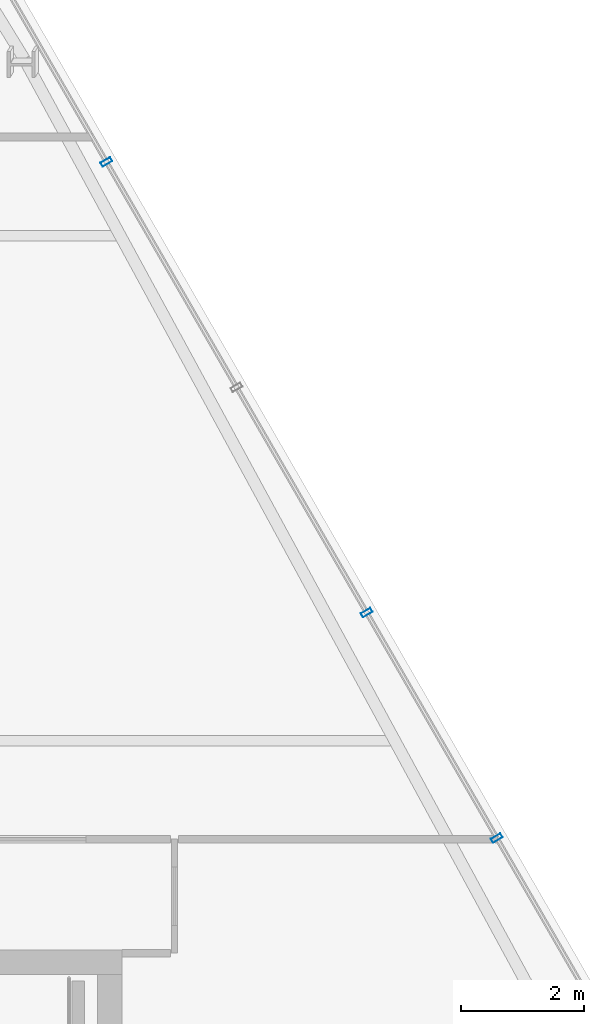
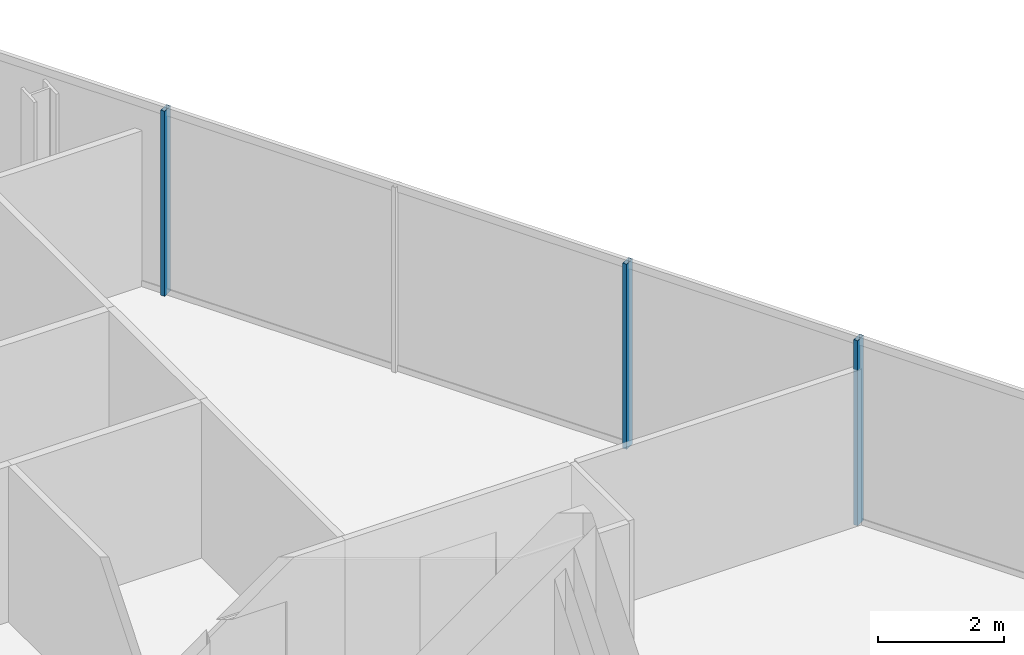
# One storey, part 15 of 33: 3 members, 1 element without a shape of its own.
"""IFC4 building model written with IfcOpenShell, lengths in metres."""

import ifcopenshell
import ifcopenshell.guid

model = None  # the IFC model being written
_history = None  # IfcOwnerHistory: only IFC2X3 demands one
_inside = {}  # id of a spatial element -> (the spatial element, [elements in it])
_under = {}  # id of a project, library or spatial element -> (it, [spatial elements below it])
_declared = {}  # id of a project -> (the project, [libraries it declares])
_typed = {}  # id of a type object -> (the type object, [elements of that type])
_made_of = {}  # id of a material, layer set ... -> (it, [elements and type objects made of it])


def new_model(schema):
    """Start an empty IFC model of exactly this schema.

    Asked for "IFC4X3", IfcOpenShell would pick the latest addendum, in which some entities
    have other attributes; the version numbers below select the first issue.
    IFC2X3 requires an IfcOwnerHistory on every rooted entity: one is made here for all.
    """
    global model, _history
    if schema == "IFC4X3":
        model = ifcopenshell.file(schema_version=(4, 3, 0, 0))
    else:
        model = ifcopenshell.file(schema=schema)
    _inside.clear()
    _under.clear()
    _declared.clear()
    _typed.clear()
    _made_of.clear()
    _history = None
    if model.schema == "IFC2X3":
        org = make("IfcOrganization", Name="unknown")
        user = make(
            "IfcPersonAndOrganization",
            ThePerson=make("IfcPerson", FamilyName="unknown"),
            TheOrganization=org,
        )
        app = make(
            "IfcApplication",
            ApplicationDeveloper=org,
            Version="unknown",
            ApplicationFullName="unknown",
            ApplicationIdentifier="unknown",
        )
        _history = make(
            "IfcOwnerHistory",
            OwningUser=user,
            OwningApplication=app,
            ChangeAction="ADDED",
            CreationDate=0,
        )
    return model


def make(cls, **values):
    """One entity of the class cls with the attributes given. An attribute that is None is left unset."""
    return model.create_entity(
        cls, **{name: value for name, value in values.items() if value is not None}
    )


def rooted(cls, **values):
    """An entity with a GlobalId (a new one), such as an element, a storey or a relation."""
    return make(cls, GlobalId=ifcopenshell.guid.new(), OwnerHistory=_history, **values)


def si_unit(unit_type, name, prefix=None):
    """IfcSIUnit, for example si_unit("LENGTHUNIT", "METRE", prefix="MILLI")."""
    return make("IfcSIUnit", UnitType=unit_type, Prefix=prefix, Name=name)


def assignment(units):
    """IfcUnitAssignment: the units of a project."""
    return None if units is None else make("IfcUnitAssignment", Units=units)


def point(xyz):
    """IfcCartesianPoint."""
    return None if xyz is None else make("IfcCartesianPoint", Coordinates=xyz)


def direction(xyz):
    """IfcDirection."""
    return None if xyz is None else make("IfcDirection", DirectionRatios=xyz)


def frame(location, z_axis=None, x_axis=None):
    """IfcAxis2Placement3D, a coordinate frame: its origin and axes. An axis left out is left unset."""
    return make(
        "IfcAxis2Placement3D",
        Location=point(location),
        Axis=direction(z_axis),
        RefDirection=direction(x_axis),
    )


def frame_2d(location, x_axis=None):
    """IfcAxis2Placement2D, a coordinate frame in the plane: its origin and x axis."""
    return make(
        "IfcAxis2Placement2D", Location=point(location), RefDirection=direction(x_axis)
    )


def origin():
    """The frame at (0, 0, 0) with its axes left unset."""
    return frame((0.0, 0.0, 0.0))


def origin_2d():
    """The frame at (0, 0) in the plane with its x axis left unset."""
    return frame_2d((0.0, 0.0))


def place(relative_to, where):
    """IfcLocalPlacement: puts the frame where relative to a parent placement (None: the world)."""
    return make(
        "IfcLocalPlacement", PlacementRelTo=relative_to, RelativePlacement=where
    )


def context(
    kind, dimensions, precision=None, world=None, true_north=None, identifier=None
):
    """IfcGeometricRepresentationContext, for example the 3D "Model" context."""
    return make(
        "IfcGeometricRepresentationContext",
        ContextIdentifier=identifier,
        ContextType=kind,
        CoordinateSpaceDimension=dimensions,
        Precision=precision,
        WorldCoordinateSystem=world,
        TrueNorth=true_north,
    )


def subcontext(parent, identifier, kind, view, scale=None):
    """IfcGeometricRepresentationSubContext, for example "Body" below "Model"."""
    return make(
        "IfcGeometricRepresentationSubContext",
        ContextIdentifier=identifier,
        ContextType=kind,
        ParentContext=parent,
        TargetScale=scale,
        TargetView=view,
    )


def project(units=None, contexts=None):
    """IfcProject with its units and contexts."""
    return rooted(
        "IfcProject",
        Name="project",
        RepresentationContexts=contexts,
        UnitsInContext=assignment(units),
    )


def spatial(cls, under=None, at=None, **own):
    """A site, building, storey or space (cls), placed at a placement, below another one or the project."""
    s = rooted(cls, ObjectPlacement=at, **own)
    if under is not None:
        _under.setdefault(under.id(), (under, []))[1].append(s)
    return s


def profile(cls, at=None, kind="AREA", **sizes):
    """A parametric profile (cls). Its sizes go by their IFC names, for example OverallWidth=200.0."""
    return make(cls, ProfileType=kind, Position=at, **sizes)


def hollow_rectangle(**sizes):
    """IfcRectangleHollowProfileDef."""
    return profile("IfcRectangleHollowProfileDef", **sizes)


def extrude(swept, where, along, depth):
    """IfcExtrudedAreaSolid: the profile swept, set in the frame where, extruded along a direction by depth."""
    return make(
        "IfcExtrudedAreaSolid",
        SweptArea=swept,
        Position=where,
        ExtrudedDirection=direction(along),
        Depth=depth,
    )


def shape(context_of_items, identifier, shape_type, items):
    """IfcShapeRepresentation: the items that make up one representation, for example the "Body"."""
    return make(
        "IfcShapeRepresentation",
        ContextOfItems=context_of_items,
        RepresentationIdentifier=identifier,
        RepresentationType=shape_type,
        Items=items,
    )


def material(Name=None, Category=None):
    """IfcMaterial."""
    return make("IfcMaterial", Name=Name, Category=Category)


def layer(
    of_material, thickness, ventilated=None, Name=None, Category=None, Priority=None
):
    """IfcMaterialLayer: one layer of a wall or slab, of a material (None: an air gap)."""
    return make(
        "IfcMaterialLayer",
        Material=of_material,
        LayerThickness=thickness,
        IsVentilated=ventilated,
        Name=Name,
        Category=Category,
        Priority=Priority,
    )


def layer_set(layers, Name=None):
    """IfcMaterialLayerSet."""
    return make("IfcMaterialLayerSet", MaterialLayers=layers, LayerSetName=Name)


def material_profile(
    of_material, cross_section, Name=None, Category=None, Priority=None
):
    """IfcMaterialProfile: a cross section and its material."""
    return make(
        "IfcMaterialProfile",
        Name=Name,
        Material=of_material,
        Profile=cross_section,
        Priority=Priority,
        Category=Category,
    )


def profile_set(profiles, Name=None, composite=None):
    """IfcMaterialProfileSet."""
    return make(
        "IfcMaterialProfileSet",
        Name=Name,
        MaterialProfiles=profiles,
        CompositeProfile=composite,
    )


def made_of(thing, what):
    """Note that an element or type object is made of a material, layer set ...; save() writes the relation."""
    if what is not None:
        _made_of.setdefault(what.id(), (what, []))[1].append(thing)
    return thing


def type_object(cls, material=None, **own):
    """A type object (cls), such as IfcWallType, which elements share."""
    return made_of(rooted(cls, **own), material)


def element(
    cls,
    number,
    at=None,
    inside=None,
    cuts=None,
    type_object=None,
    material=None,
    context=None,
    identifier="Body",
    shape_type=None,
    held_by="IfcProductDefinitionShape",
    body=None,
    shapes=None,
    **own,
):
    """One element of the class cls, such as IfcWall. Its Tag is "e" and its number.

    at: its placement. inside: the storey or other place that contains it. cuts: it is an
    opening in that element (IfcRelVoidsElement). A single representation is given by context,
    identifier, shape_type and body (its items); several are given by shapes. held_by: the class
    of the entity that holds the representations. save() writes the other relations.
    """
    e = rooted(cls, Tag="e%d" % number, ObjectPlacement=at, **own)
    if body is not None:
        shapes = [shape(context, identifier, shape_type, body)]
    if shapes is not None:
        e.Representation = make(held_by, Representations=shapes)
    if inside is not None:
        _inside.setdefault(inside.id(), (inside, []))[1].append(e)
    if cuts is not None:
        rooted(
            "IfcRelVoidsElement", RelatingBuildingElement=cuts, RelatedOpeningElement=e
        )
    if type_object is not None:
        _typed.setdefault(type_object.id(), (type_object, []))[1].append(e)
    return made_of(e, material)


def aggregate(whole, parts):
    """IfcRelAggregates: a whole, such as a stair, and the parts it consists of."""
    return rooted("IfcRelAggregates", RelatingObject=whole, RelatedObjects=parts)


def save(model, path):
    """Write the relations noted so far, then the file.

    IfcRelAggregates (storeys below a building ...), IfcRelContainedInSpatialStructure (elements
    in a storey), IfcRelDefinesByType, IfcRelAssociatesMaterial and IfcRelDeclares: one each for
    every whole, place, type object, material and project.
    """
    for whole, parts in _under.values():
        aggregate(whole, parts)
    for where, things in _inside.values():
        rooted(
            "IfcRelContainedInSpatialStructure",
            RelatedElements=things,
            RelatingStructure=where,
        )
    for kind, things in _typed.values():
        rooted("IfcRelDefinesByType", RelatedObjects=things, RelatingType=kind)
    for what, things in _made_of.values():
        rooted("IfcRelAssociatesMaterial", RelatedObjects=things, RelatingMaterial=what)
    for by, libraries in _declared.values():
        rooted("IfcRelDeclares", RelatingContext=by, RelatedDefinitions=libraries)
    model.write(path)


model = new_model("IFC4")

# Units and contexts
model_context = context("Model", 3, precision=1e-05, world=origin(), true_north=direction((0.0, 1.0)))
body_context = subcontext(model_context, "Body", "Model", "MODEL_VIEW")
ifc_project = project(units=[si_unit("LENGTHUNIT", "METRE"), si_unit("AREAUNIT", "SQUARE_METRE"), si_unit("VOLUMEUNIT", "CUBIC_METRE"), si_unit("PLANEANGLEUNIT", "RADIAN"), si_unit("MASSUNIT", "GRAM", prefix="KILO")], contexts=[model_context])

# Site, building, storey
site_placement = place(None, origin())
site = spatial("IfcSite", under=ifc_project, at=site_placement, CompositionType="ELEMENT")
building_placement = place(site_placement, origin())
building = spatial("IfcBuilding", under=site, at=building_placement, Name="Ndaravel Arena Tower", CompositionType="ELEMENT")
storey_placement = place(building_placement, frame((0.0, 0.0, 187.800048828125)))
storey = spatial("IfcBuildingStorey", under=building, at=storey_placement, Name="L45", CompositionType="ELEMENT", Elevation=187.800048828125)

# Curtain wall, members
ifc_material_1 = material(Name="Aluminium", Category="aluminium")
ifc_layer = layer(ifc_material_1, 0.179931640625)
ifc_layer_set = layer_set([ifc_layer], Name="Aluminium")
curtain_wall_type = type_object("IfcCurtainWallType", Name="CW-SYS-03", PredefinedType="NOTDEFINED", material=ifc_layer_set)
curtain_wall_placement = place(storey_placement, origin())
curtain_wall = element("IfcCurtainWall", 1, at=curtain_wall_placement, inside=storey, type_object=curtain_wall_type, Name="L45 Faceted Crystal Curtain Wall CW-L45-E03", PredefinedType="NOTDEFINED")
ifc_material_2 = material(Name="Aluminium", Category="aluminium")
ifc_material_profile = material_profile(ifc_material_2, hollow_rectangle(XDim=0.074951171875, YDim=0.179931640625, WallThickness=0.00390625, at=origin_2d()), Name="CW MULLION 75x180x4")
ifc_profile_set = profile_set([ifc_material_profile], Name="Aluminium")
member_type = type_object("IfcMemberType", Name="MEM-CW-MUL180", PredefinedType="MULLION", material=ifc_profile_set)
member_1_placement = place(storey_placement, frame((63.635009765625, 17.0185546875, 0.0), z_axis=(0.0, 0.0, 1.0), x_axis=(-0.5, 0.866025403784, 0.0)))
member_1 = element("IfcMember", 2, at=member_1_placement, type_object=member_type, Name="CW-L45-E03 Mullion 01", PredefinedType="MULLION", context=body_context, shape_type="SweptSolid", body=[
    extrude(hollow_rectangle(XDim=0.074951171875, YDim=0.179931640625, WallThickness=0.00390625, at=origin_2d()), origin(), (0.0, 0.0, 1.0), 3.579833984375),
])
member_2_placement = place(storey_placement, frame((61.5224609375, 20.677978515625, 0.0), z_axis=(0.0, 0.0, 1.0), x_axis=(-0.5, 0.866025403784, 0.0)))
member_2 = element("IfcMember", 3, at=member_2_placement, type_object=member_type, Name="CW-L45-E03 Mullion 02", PredefinedType="MULLION", context=body_context, shape_type="SweptSolid", body=[
    extrude(hollow_rectangle(XDim=0.074951171875, YDim=0.179931640625, WallThickness=0.00390625, at=origin_2d()), origin(), (0.0, 0.0, 1.0), 3.579833984375),
])
member_3_placement = place(storey_placement, frame((57.297119140625, 27.996337890625, 0.0), z_axis=(0.0, 0.0, 1.0), x_axis=(-0.5, 0.866025403784, 0.0)))
member_3 = element("IfcMember", 4, at=member_3_placement, type_object=member_type, Name="CW-L45-E03 Mullion 04", PredefinedType="MULLION", context=body_context, shape_type="SweptSolid", body=[
    extrude(hollow_rectangle(XDim=0.074951171875, YDim=0.179931640625, WallThickness=0.00390625, at=origin_2d()), origin(), (0.0, 0.0, 1.0), 3.579833984375),
])
aggregate(curtain_wall, [member_1, member_2, member_3])

save(model, "model.ifc")
